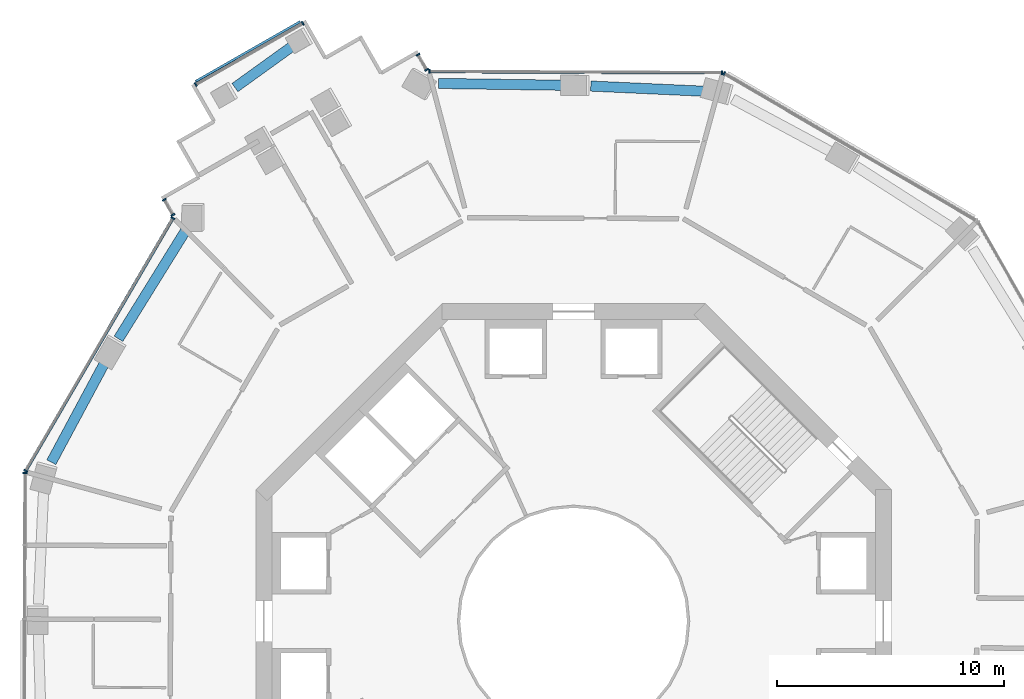
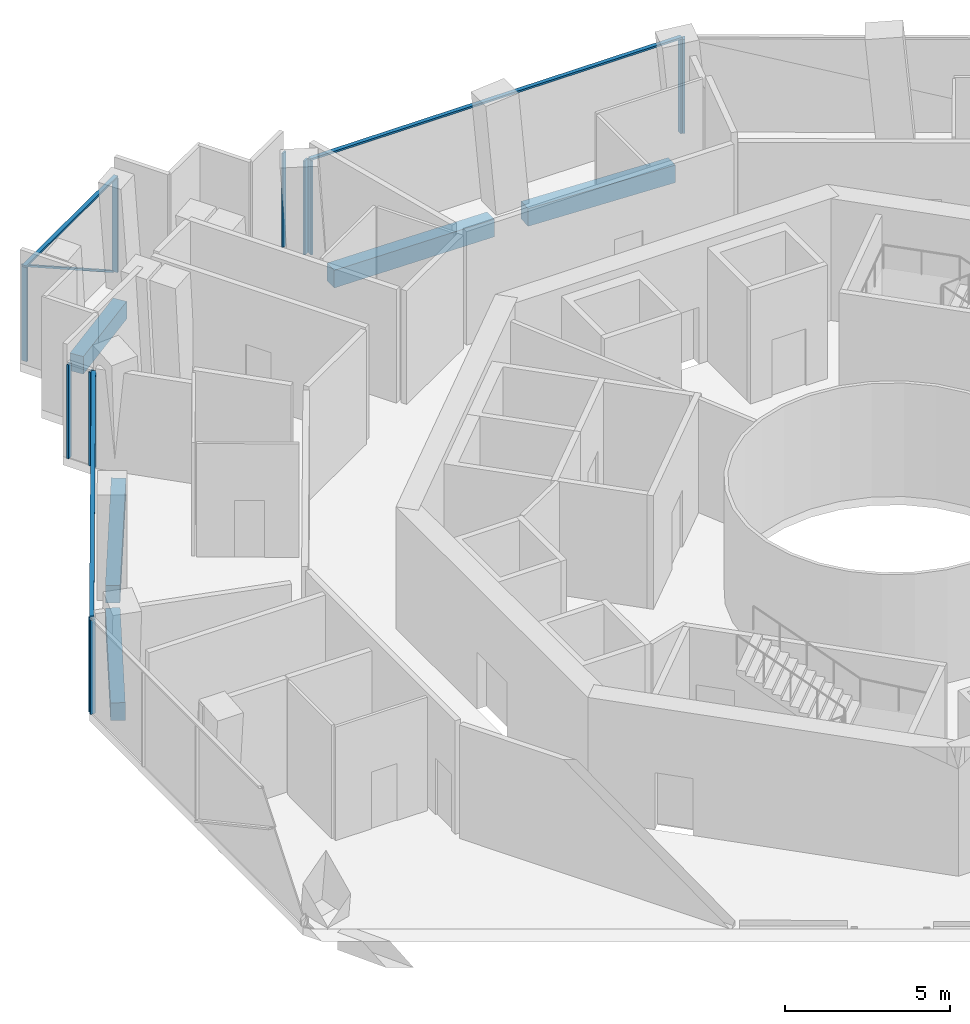
# One storey, part 5 of 16: 16 members, 5 beams, 7 elements without a shape of their own.
"""IFC4 building model written with IfcOpenShell, lengths in metres."""

from ifc_helpers import new_model, si_unit, direction, frame, origin, origin_2d, place, context, subcontext, project, spatial, rectangle, extrude, material, layer, layer_set, material_profile, profile_set, type_object, element, aggregate, save


model = new_model("IFC4")

# Units and contexts
model_context = context("Model", 3, precision=1e-05, world=origin(), true_north=direction((0.0, 1.0)))
body_context = subcontext(model_context, "Body", "Model", "MODEL_VIEW")
ifc_project = project(units=[si_unit("LENGTHUNIT", "METRE"), si_unit("AREAUNIT", "SQUARE_METRE"), si_unit("VOLUMEUNIT", "CUBIC_METRE"), si_unit("PLANEANGLEUNIT", "RADIAN"), si_unit("MASSUNIT", "GRAM", prefix="KILO")], contexts=[model_context])

# Site, building, storey
site_placement = place(None, origin())
site = spatial("IfcSite", under=ifc_project, at=site_placement, CompositionType="ELEMENT")
building_placement = place(site_placement, origin())
building = spatial("IfcBuilding", under=site, at=building_placement, Name="Verdalira Terraces Hotel", CompositionType="ELEMENT")
storey_placement = place(building_placement, frame((0.0, 0.0, 154.0)))
storey = spatial("IfcBuildingStorey", under=building, at=storey_placement, Name="L37", CompositionType="ELEMENT", Elevation=154.0)

# Curtain wall, members
ifc_material_1 = material(Name="Clear glass", Category="glass")
ifc_layer = layer(ifc_material_1, 0.179931640625)
ifc_layer_set = layer_set([ifc_layer], Name="CW4 curtain wall")
curtain_wall_type = type_object("IfcCurtainWallType", Name="CW4 curtain wall", PredefinedType="NOTDEFINED", material=ifc_layer_set)
curtain_wall_1_placement = place(storey_placement, origin())
curtain_wall_1 = element("IfcCurtainWall", 1, at=curtain_wall_1_placement, inside=storey, type_object=curtain_wall_type, Name="CW4 curtain wall L37 edge 0", PredefinedType="NOTDEFINED")
ifc_material_2 = material(Name="Terracotta frame", Category="masonry")
ifc_material_profile_1 = material_profile(ifc_material_2, rectangle(XDim=0.064941, YDim=0.179932, at=origin_2d()), Name="MU 65x180")
ifc_profile_set_1 = profile_set([ifc_material_profile_1], Name="Terracotta frame")
member_type_1 = type_object("IfcMemberType", Name="CW4 mullion 65x180", PredefinedType="MULLION", material=ifc_profile_set_1)
member_1_placement = place(storey_placement, frame((-6.475098, 24.298828, 0.0), z_axis=(0.0, 0.0, 1.0), x_axis=(-0.496368025, 0.868112195, 0.0)))
member_1 = element("IfcMember", 2, at=member_1_placement, type_object=member_type_1, Name="CW4 mullion", PredefinedType="MULLION", context=body_context, shape_type="SweptSolid", body=[
    extrude(rectangle(XDim=0.064941, YDim=0.179932, at=origin_2d()), origin(), (0.0, 0.0, 1.0), 3.469971),
])
member_2_placement = place(storey_placement, frame((-6.856201, 24.965332, 0.0), z_axis=(0.0, 0.0, 1.0), x_axis=(-0.496368025, 0.868112195, 0.0)))
member_2 = element("IfcMember", 3, at=member_2_placement, type_object=member_type_1, Name="CW4 mullion", PredefinedType="MULLION", context=body_context, shape_type="SweptSolid", body=[
    extrude(rectangle(XDim=0.064941, YDim=0.179932, at=origin_2d()), origin(), (0.0, 0.0, 1.0), 3.469971),
])
aggregate(curtain_wall_1, [member_1, member_2])

curtain_wall_2_placement = place(storey_placement, origin())
curtain_wall_2 = element("IfcCurtainWall", 4, at=curtain_wall_2_placement, inside=storey, type_object=curtain_wall_type, Name="CW4 curtain wall L37 edge 5", PredefinedType="NOTDEFINED")
member_3_placement = place(storey_placement, frame((-11.935547, 26.349121, 0.0), z_axis=(0.0, 0.0, 1.0), x_axis=(-0.868112195, -0.496368025, 0.0)))
member_3 = element("IfcMember", 5, at=member_3_placement, type_object=member_type_1, Name="CW4 mullion", PredefinedType="MULLION", context=body_context, shape_type="SweptSolid", body=[
    extrude(rectangle(XDim=0.064941, YDim=0.179932, at=origin_2d()), origin(), (0.0, 0.0, 1.0), 3.469971),
])
member_4_placement = place(storey_placement, frame((-16.653564, 23.651367, 0.0), z_axis=(0.0, 0.0, 1.0), x_axis=(-0.868112195, -0.496368025, 0.0)))
member_4 = element("IfcMember", 6, at=member_4_placement, type_object=member_type_1, Name="CW4 mullion", PredefinedType="MULLION", context=body_context, shape_type="SweptSolid", body=[
    extrude(rectangle(XDim=0.064941, YDim=0.179932, at=origin_2d()), origin(), (0.0, 0.0, 1.0), 3.469971),
])

curtain_wall_3_placement = place(storey_placement, origin())
curtain_wall_3 = element("IfcCurtainWall", 7, at=curtain_wall_3_placement, inside=storey, type_object=curtain_wall_type, Name="CW4 curtain wall L37 edge 10", PredefinedType="NOTDEFINED")
member_5_placement = place(storey_placement, frame((-18.037598, 18.572021, 0.0), z_axis=(0.0, 0.0, 1.0), x_axis=(0.496368025, -0.868112195, 0.0)))
member_5 = element("IfcMember", 8, at=member_5_placement, type_object=member_type_1, Name="CW4 mullion", PredefinedType="MULLION", context=body_context, shape_type="SweptSolid", body=[
    extrude(rectangle(XDim=0.064941, YDim=0.179932, at=origin_2d()), origin(), (0.0, 0.0, 1.0), 3.469971),
])
member_6_placement = place(storey_placement, frame((-17.656494, 17.905518, 0.0), z_axis=(0.0, 0.0, 1.0), x_axis=(0.496368025, -0.868112195, 0.0)))
member_6 = element("IfcMember", 9, at=member_6_placement, type_object=member_type_1, Name="CW4 mullion", PredefinedType="MULLION", context=body_context, shape_type="SweptSolid", body=[
    extrude(rectangle(XDim=0.064941, YDim=0.179932, at=origin_2d()), origin(), (0.0, 0.0, 1.0), 3.469971),
])
aggregate(curtain_wall_3, [member_5, member_6])

curtain_wall_4_placement = place(storey_placement, origin())
curtain_wall_4 = element("IfcCurtainWall", 10, at=curtain_wall_4_placement, inside=storey, type_object=curtain_wall_type, Name="CW4 curtain wall L37 edge 11", PredefinedType="NOTDEFINED")
member_7_placement = place(storey_placement, frame((-17.656982, 17.759277, 0.0), z_axis=(0.0, 0.0, 1.0), x_axis=(-0.503623202, -0.863923417, 0.0)))
member_7 = element("IfcMember", 11, at=member_7_placement, type_object=member_type_1, Name="CW4 mullion", PredefinedType="MULLION", context=body_context, shape_type="SweptSolid", body=[
    extrude(rectangle(XDim=0.064941, YDim=0.179932, at=origin_2d()), origin(), (0.0, 0.0, 1.0), 3.469971),
])
member_8_placement = place(storey_placement, frame((-24.142334, 6.634033, 0.0), z_axis=(0.0, 0.0, 1.0), x_axis=(-0.503623202, -0.863923417, 0.0)))
member_8 = element("IfcMember", 12, at=member_8_placement, type_object=member_type_1, Name="CW4 mullion", PredefinedType="MULLION", context=body_context, shape_type="SweptSolid", body=[
    extrude(rectangle(XDim=0.064941, YDim=0.179932, at=origin_2d()), origin(), (0.0, 0.0, 1.0), 3.469971),
])

# Curtain wall, member
curtain_wall_5_placement = place(storey_placement, origin())
curtain_wall_5 = element("IfcCurtainWall", 13, at=curtain_wall_5_placement, inside=storey, type_object=curtain_wall_type, Name="CW4 curtain wall L37 edge 12", PredefinedType="NOTDEFINED")
member_9_placement = place(storey_placement, frame((-24.171143, 6.528564, 0.0), z_axis=(0.0, 0.0, 1.0), x_axis=(-0.004188778, -0.999991227, 0.0)))
member_9 = element("IfcMember", 14, at=member_9_placement, type_object=member_type_1, Name="CW4 mullion", PredefinedType="MULLION", context=body_context, shape_type="SweptSolid", body=[
    extrude(rectangle(XDim=0.064941, YDim=0.179932, at=origin_2d()), origin(), (0.0, 0.0, 1.0), 3.469971),
])
aggregate(curtain_wall_5, [member_9])

curtain_wall_6_placement = place(storey_placement, origin())
curtain_wall_6 = element("IfcCurtainWall", 15, at=curtain_wall_6_placement, inside=storey, type_object=curtain_wall_type, Name="CW4 curtain wall L37 edge 40", PredefinedType="NOTDEFINED")
member_10_placement = place(storey_placement, frame((6.634033, 24.142334, 0.0), z_axis=(0.0, 0.0, 1.0), x_axis=(-0.863923417, 0.503623202, 0.0)))
member_10 = element("IfcMember", 16, at=member_10_placement, type_object=member_type_1, Name="CW4 mullion", PredefinedType="MULLION", context=body_context, shape_type="SweptSolid", body=[
    extrude(rectangle(XDim=0.064941, YDim=0.179932, at=origin_2d()), origin(), (0.0, 0.0, 1.0), 3.469971),
])
aggregate(curtain_wall_6, [member_10])

# Curtain wall, members
curtain_wall_7_placement = place(storey_placement, origin())
curtain_wall_7 = element("IfcCurtainWall", 17, at=curtain_wall_7_placement, inside=storey, type_object=curtain_wall_type, Name="CW4 curtain wall L37 edge 41", PredefinedType="NOTDEFINED")
member_11_placement = place(storey_placement, frame((6.528564, 24.171143, 0.0), z_axis=(0.0, 0.0, 1.0), x_axis=(-0.999991227, 0.004188778, 0.0)))
member_11 = element("IfcMember", 18, at=member_11_placement, type_object=member_type_1, Name="CW4 mullion", PredefinedType="MULLION", context=body_context, shape_type="SweptSolid", body=[
    extrude(rectangle(XDim=0.064941, YDim=0.179932, at=origin_2d()), origin(), (0.0, 0.0, 1.0), 3.469971),
])
member_12_placement = place(storey_placement, frame((-6.348877, 24.225098, 0.0), z_axis=(0.0, 0.0, 1.0), x_axis=(-0.999991227, 0.004188778, 0.0)))
member_12 = element("IfcMember", 19, at=member_12_placement, type_object=member_type_1, Name="CW4 mullion", PredefinedType="MULLION", context=body_context, shape_type="SweptSolid", body=[
    extrude(rectangle(XDim=0.064941, YDim=0.179932, at=origin_2d()), origin(), (0.0, 0.0, 1.0), 3.469971),
])

# Member
ifc_material_3 = material(Name="Terracotta frame", Category="masonry")
ifc_material_profile_2 = material_profile(ifc_material_3, rectangle(XDim=0.139893, YDim=0.070068, at=origin_2d()), Name="TR 70x140")
ifc_profile_set_2 = profile_set([ifc_material_profile_2], Name="Terracotta frame")
member_type_2 = type_object("IfcMemberType", Name="CW4 transom 70x140", PredefinedType="USERDEFINED", material=ifc_profile_set_2)
member_13_placement = place(storey_placement, frame((-11.907227, 26.365234, 3.504883), z_axis=(-0.868117459, -0.496358819, 0.0), x_axis=(0.496358819, -0.868117459, 0.0)))
member_13 = element("IfcMember", 20, at=member_13_placement, type_object=member_type_2, Name="CW4 transom", ObjectType="TRANSOM", PredefinedType="USERDEFINED", context=body_context, shape_type="SweptSolid", body=[
    extrude(rectangle(XDim=0.139893, YDim=0.070068, at=origin_2d()), origin(), (0.0, 0.0, 1.0), 5.5),
])

member_14_placement = place(storey_placement, frame((-17.640625, 17.787354, 3.504883), z_axis=(-0.503616494, -0.863927328, 0.0), x_axis=(0.863927328, -0.503616494, 0.0)))
member_14 = element("IfcMember", 21, at=member_14_placement, type_object=member_type_2, Name="CW4 transom", ObjectType="TRANSOM", PredefinedType="USERDEFINED", context=body_context, shape_type="SweptSolid", body=[
    extrude(rectangle(XDim=0.139893, YDim=0.070068, at=origin_2d()), origin(), (0.0, 0.0, 1.0), 12.942627),
])

aggregate(curtain_wall_4, [member_7, member_8, member_14])

member_15_placement = place(storey_placement, frame((6.561035, 24.171143, 3.504883), z_axis=(-0.999991232, 0.004187694, 0.0), x_axis=(-0.004187694, -0.999991232, 0.0)))
member_15 = element("IfcMember", 22, at=member_15_placement, type_object=member_type_2, Name="CW4 transom", ObjectType="TRANSOM", PredefinedType="USERDEFINED", context=body_context, shape_type="SweptSolid", body=[
    extrude(rectangle(XDim=0.139893, YDim=0.070068, at=origin_2d()), origin(), (0.0, 0.0, 1.0), 12.942383),
])

aggregate(curtain_wall_7, [member_11, member_12, member_15])

ifc_material_4 = material(Name="Terracotta frame", Category="masonry")
ifc_material_profile_3 = material_profile(ifc_material_4, rectangle(XDim=0.149902, YDim=0.060059, at=origin_2d()), Name="GB 60x150")
ifc_profile_set_3 = profile_set([ifc_material_profile_3], Name="Terracotta frame")
member_type_3 = type_object("IfcMemberType", Name="Diagonal glazing bar 60x150", PredefinedType="USERDEFINED", material=ifc_profile_set_3)
member_16_placement = place(storey_placement, frame((-12.045166, 26.393555, 0.026367), z_axis=(-0.729132859, -0.416929839, 0.542710589), x_axis=(0.496392459, -0.868098224, 0.0)))
member_16 = element("IfcMember", 23, at=member_16_placement, type_object=member_type_3, Name="Diagonal glazing bar", ObjectType="GLAZING BAR", PredefinedType="USERDEFINED", context=body_context, shape_type="SweptSolid", body=[
    extrude(rectangle(XDim=0.149902, YDim=0.060059, at=origin_2d()), origin(), (0.0, 0.0, 1.0), 6.296631),
])

aggregate(curtain_wall_2, [member_3, member_4, member_13, member_16])

# Beams
ifc_material_5 = material(Name="Concrete C50", Category="concrete")
ifc_material_profile_4 = material_profile(ifc_material_5, rectangle(XDim=0.449951, YDim=0.649902, at=origin_2d()), Name="RC 450X650")
ifc_profile_set_4 = profile_set([ifc_material_profile_4], Name="Concrete C50")
beam_type = type_object("IfcBeamType", Name="Spandrel beam RC 450X650 C50", PredefinedType="SPANDREL", material=ifc_profile_set_4)
beam_1_placement = place(storey_placement, frame((-12.331787, 25.380371, -0.63501), z_axis=(-0.811360251, -0.584546443, 0.0), x_axis=(0.584546443, -0.811360251, 0.0)))
element("IfcBeam", 24, at=beam_1_placement, inside=storey, type_object=beam_type, Name="Spandrel beam B01", PredefinedType="SPANDREL", context=body_context, shape_type="SweptSolid", body=[
    extrude(rectangle(XDim=0.449951, YDim=0.649902, at=origin_2d()), origin(), (0.0, 0.0, 1.0), 3.192627),
])
beam_2_placement = place(storey_placement, frame((-17.063965, 17.263916, -0.63501), z_axis=(-0.527093883, -0.849807059, 0.0), x_axis=(0.849807059, -0.527093883, 0.0)))
element("IfcBeam", 25, at=beam_2_placement, inside=storey, type_object=beam_type, Name="Spandrel beam B02", PredefinedType="SPANDREL", context=body_context, shape_type="SweptSolid", body=[
    extrude(rectangle(XDim=0.449951, YDim=0.649902, at=origin_2d()), origin(), (0.0, 0.0, 1.0), 5.671631),
])
beam_3_placement = place(storey_placement, frame((-20.641602, 11.424805, -0.63501), z_axis=(-0.472861981, -0.881136509, 0.0), x_axis=(0.881136509, -0.472861981, 0.0)))
element("IfcBeam", 26, at=beam_3_placement, inside=storey, type_object=beam_type, Name="Spandrel beam B03", PredefinedType="SPANDREL", context=body_context, shape_type="SweptSolid", body=[
    extrude(rectangle(XDim=0.449951, YDim=0.649902, at=origin_2d()), origin(), (0.0, 0.0, 1.0), 5.012207),
])
beam_4_placement = place(storey_placement, frame((5.766113, 23.352295, -0.63501), z_axis=(-0.998963717, 0.045513648, 0.0), x_axis=(-0.045513648, -0.998963717, 0.0)))
element("IfcBeam", 27, at=beam_4_placement, inside=storey, type_object=beam_type, Name="Spandrel beam B22", PredefinedType="SPANDREL", context=body_context, shape_type="SweptSolid", body=[
    extrude(rectangle(XDim=0.449951, YDim=0.649902, at=origin_2d()), origin(), (0.0, 0.0, 1.0), 5.015381),
])
beam_5_placement = place(storey_placement, frame((-0.407227, 23.615479, -0.63501), z_axis=(-0.999893791, 0.014574171, 0.0), x_axis=(-0.014574171, -0.999893791, 0.0)))
element("IfcBeam", 28, at=beam_5_placement, inside=storey, type_object=beam_type, Name="Spandrel beam B23", PredefinedType="SPANDREL", context=body_context, shape_type="SweptSolid", body=[
    extrude(rectangle(XDim=0.449951, YDim=0.649902, at=origin_2d()), origin(), (0.0, 0.0, 1.0), 5.544678),
])

save(model, "model.ifc")
